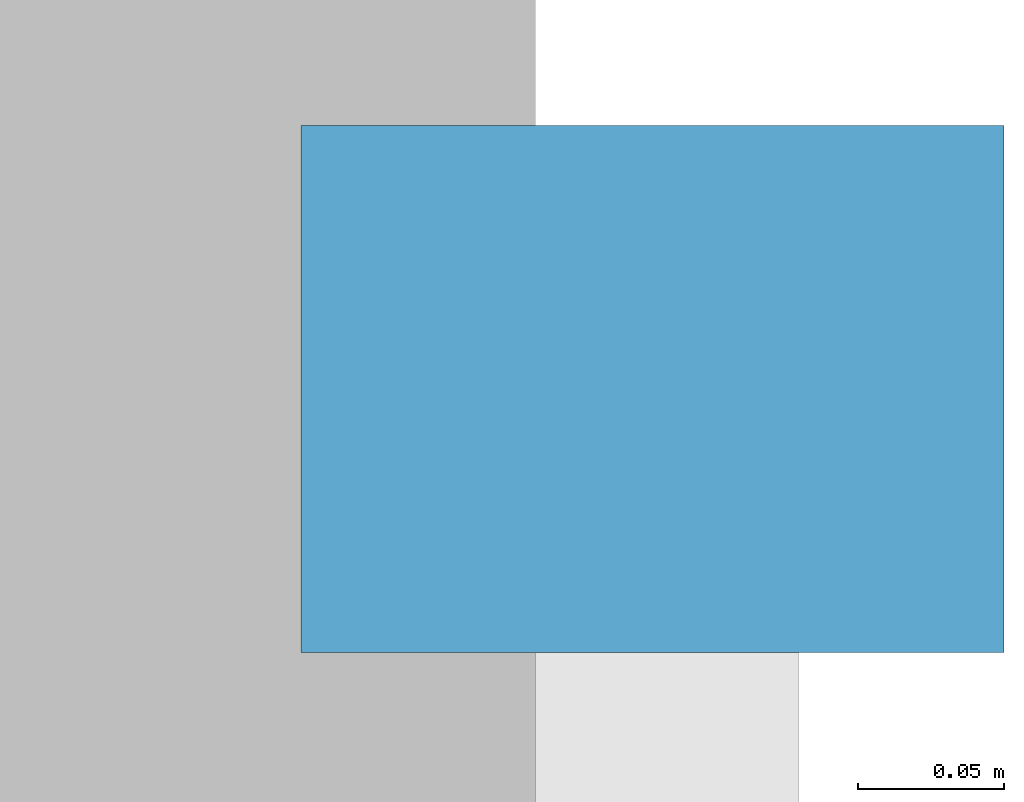
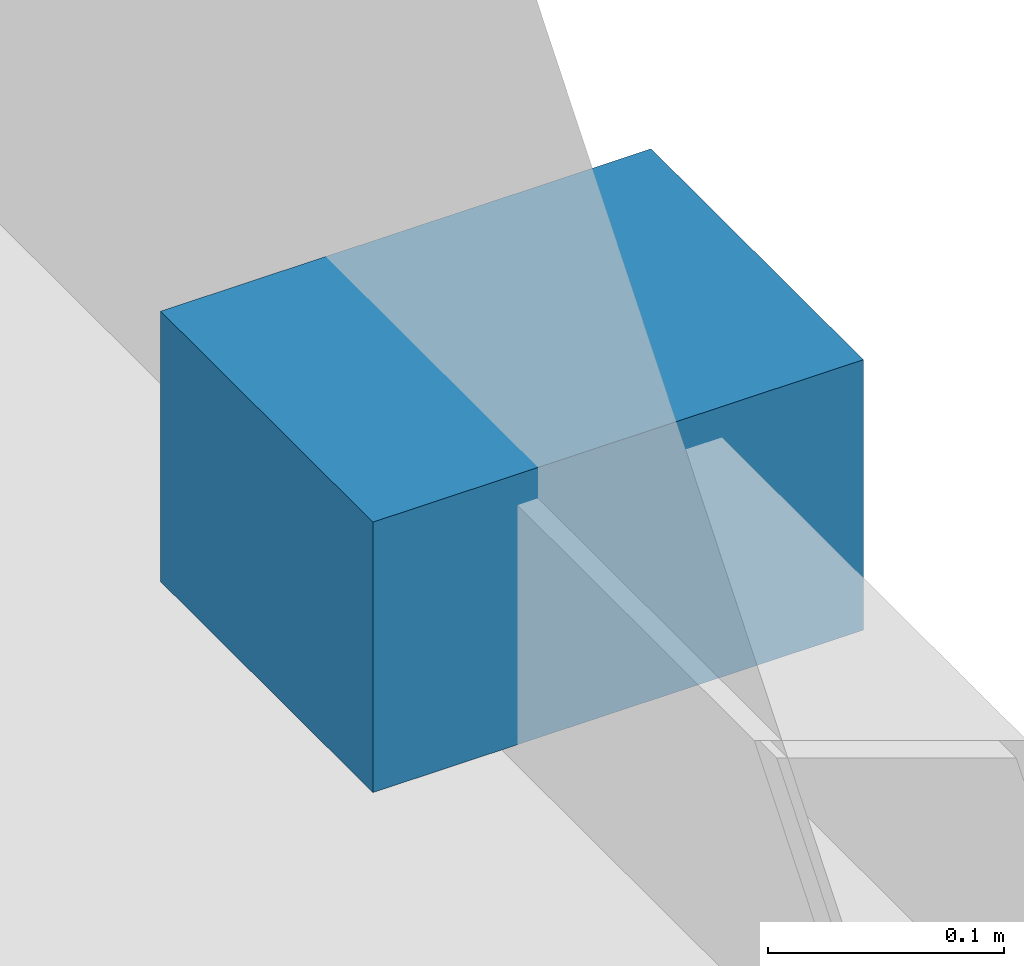
# One storey, part 91 of 109: 1 discrete accessory.
"""IFC4 building model written with IfcOpenShell, lengths in metres."""

import ifcopenshell
import ifcopenshell.guid

model = None  # the IFC model being written
_history = None  # IfcOwnerHistory: only IFC2X3 demands one
_inside = {}  # id of a spatial element -> (the spatial element, [elements in it])
_under = {}  # id of a project, library or spatial element -> (it, [spatial elements below it])
_declared = {}  # id of a project -> (the project, [libraries it declares])
_typed = {}  # id of a type object -> (the type object, [elements of that type])
_made_of = {}  # id of a material, layer set ... -> (it, [elements and type objects made of it])


def new_model(schema):
    """Start an empty IFC model of exactly this schema.

    Asked for "IFC4X3", IfcOpenShell would pick the latest addendum, in which some entities
    have other attributes; the version numbers below select the first issue.
    IFC2X3 requires an IfcOwnerHistory on every rooted entity: one is made here for all.
    """
    global model, _history
    if schema == "IFC4X3":
        model = ifcopenshell.file(schema_version=(4, 3, 0, 0))
    else:
        model = ifcopenshell.file(schema=schema)
    _inside.clear()
    _under.clear()
    _declared.clear()
    _typed.clear()
    _made_of.clear()
    _history = None
    if model.schema == "IFC2X3":
        org = make("IfcOrganization", Name="unknown")
        user = make(
            "IfcPersonAndOrganization",
            ThePerson=make("IfcPerson", FamilyName="unknown"),
            TheOrganization=org,
        )
        app = make(
            "IfcApplication",
            ApplicationDeveloper=org,
            Version="unknown",
            ApplicationFullName="unknown",
            ApplicationIdentifier="unknown",
        )
        _history = make(
            "IfcOwnerHistory",
            OwningUser=user,
            OwningApplication=app,
            ChangeAction="ADDED",
            CreationDate=0,
        )
    return model


def make(cls, **values):
    """One entity of the class cls with the attributes given. An attribute that is None is left unset."""
    return model.create_entity(
        cls, **{name: value for name, value in values.items() if value is not None}
    )


def rooted(cls, **values):
    """An entity with a GlobalId (a new one), such as an element, a storey or a relation."""
    return make(cls, GlobalId=ifcopenshell.guid.new(), OwnerHistory=_history, **values)


def si_unit(unit_type, name, prefix=None):
    """IfcSIUnit, for example si_unit("LENGTHUNIT", "METRE", prefix="MILLI")."""
    return make("IfcSIUnit", UnitType=unit_type, Prefix=prefix, Name=name)


def assignment(units):
    """IfcUnitAssignment: the units of a project."""
    return None if units is None else make("IfcUnitAssignment", Units=units)


def point(xyz):
    """IfcCartesianPoint."""
    return None if xyz is None else make("IfcCartesianPoint", Coordinates=xyz)


def direction(xyz):
    """IfcDirection."""
    return None if xyz is None else make("IfcDirection", DirectionRatios=xyz)


def frame(location, z_axis=None, x_axis=None):
    """IfcAxis2Placement3D, a coordinate frame: its origin and axes. An axis left out is left unset."""
    return make(
        "IfcAxis2Placement3D",
        Location=point(location),
        Axis=direction(z_axis),
        RefDirection=direction(x_axis),
    )


def frame_2d(location, x_axis=None):
    """IfcAxis2Placement2D, a coordinate frame in the plane: its origin and x axis."""
    return make(
        "IfcAxis2Placement2D", Location=point(location), RefDirection=direction(x_axis)
    )


def origin():
    """The frame at (0, 0, 0) with its axes left unset."""
    return frame((0.0, 0.0, 0.0))


def origin_2d():
    """The frame at (0, 0) in the plane with its x axis left unset."""
    return frame_2d((0.0, 0.0))


def place(relative_to, where):
    """IfcLocalPlacement: puts the frame where relative to a parent placement (None: the world)."""
    return make(
        "IfcLocalPlacement", PlacementRelTo=relative_to, RelativePlacement=where
    )


def context(
    kind, dimensions, precision=None, world=None, true_north=None, identifier=None
):
    """IfcGeometricRepresentationContext, for example the 3D "Model" context."""
    return make(
        "IfcGeometricRepresentationContext",
        ContextIdentifier=identifier,
        ContextType=kind,
        CoordinateSpaceDimension=dimensions,
        Precision=precision,
        WorldCoordinateSystem=world,
        TrueNorth=true_north,
    )


def subcontext(parent, identifier, kind, view, scale=None):
    """IfcGeometricRepresentationSubContext, for example "Body" below "Model"."""
    return make(
        "IfcGeometricRepresentationSubContext",
        ContextIdentifier=identifier,
        ContextType=kind,
        ParentContext=parent,
        TargetScale=scale,
        TargetView=view,
    )


def project(units=None, contexts=None):
    """IfcProject with its units and contexts."""
    return rooted(
        "IfcProject",
        Name="project",
        RepresentationContexts=contexts,
        UnitsInContext=assignment(units),
    )


def spatial(cls, under=None, at=None, **own):
    """A site, building, storey or space (cls), placed at a placement, below another one or the project."""
    s = rooted(cls, ObjectPlacement=at, **own)
    if under is not None:
        _under.setdefault(under.id(), (under, []))[1].append(s)
    return s


def profile(cls, at=None, kind="AREA", **sizes):
    """A parametric profile (cls). Its sizes go by their IFC names, for example OverallWidth=200.0."""
    return make(cls, ProfileType=kind, Position=at, **sizes)


def rectangle(**sizes):
    """IfcRectangleProfileDef."""
    return profile("IfcRectangleProfileDef", **sizes)


def extrude(swept, where, along, depth):
    """IfcExtrudedAreaSolid: the profile swept, set in the frame where, extruded along a direction by depth."""
    return make(
        "IfcExtrudedAreaSolid",
        SweptArea=swept,
        Position=where,
        ExtrudedDirection=direction(along),
        Depth=depth,
    )


def shape(context_of_items, identifier, shape_type, items):
    """IfcShapeRepresentation: the items that make up one representation, for example the "Body"."""
    return make(
        "IfcShapeRepresentation",
        ContextOfItems=context_of_items,
        RepresentationIdentifier=identifier,
        RepresentationType=shape_type,
        Items=items,
    )


def material(Name=None, Category=None):
    """IfcMaterial."""
    return make("IfcMaterial", Name=Name, Category=Category)


def layer(
    of_material, thickness, ventilated=None, Name=None, Category=None, Priority=None
):
    """IfcMaterialLayer: one layer of a wall or slab, of a material (None: an air gap)."""
    return make(
        "IfcMaterialLayer",
        Material=of_material,
        LayerThickness=thickness,
        IsVentilated=ventilated,
        Name=Name,
        Category=Category,
        Priority=Priority,
    )


def layer_set(layers, Name=None):
    """IfcMaterialLayerSet."""
    return make("IfcMaterialLayerSet", MaterialLayers=layers, LayerSetName=Name)


def made_of(thing, what):
    """Note that an element or type object is made of a material, layer set ...; save() writes the relation."""
    if what is not None:
        _made_of.setdefault(what.id(), (what, []))[1].append(thing)
    return thing


def type_object(cls, material=None, **own):
    """A type object (cls), such as IfcWallType, which elements share."""
    return made_of(rooted(cls, **own), material)


def element(
    cls,
    number,
    at=None,
    inside=None,
    cuts=None,
    type_object=None,
    material=None,
    context=None,
    identifier="Body",
    shape_type=None,
    held_by="IfcProductDefinitionShape",
    body=None,
    shapes=None,
    **own,
):
    """One element of the class cls, such as IfcWall. Its Tag is "e" and its number.

    at: its placement. inside: the storey or other place that contains it. cuts: it is an
    opening in that element (IfcRelVoidsElement). A single representation is given by context,
    identifier, shape_type and body (its items); several are given by shapes. held_by: the class
    of the entity that holds the representations. save() writes the other relations.
    """
    e = rooted(cls, Tag="e%d" % number, ObjectPlacement=at, **own)
    if body is not None:
        shapes = [shape(context, identifier, shape_type, body)]
    if shapes is not None:
        e.Representation = make(held_by, Representations=shapes)
    if inside is not None:
        _inside.setdefault(inside.id(), (inside, []))[1].append(e)
    if cuts is not None:
        rooted(
            "IfcRelVoidsElement", RelatingBuildingElement=cuts, RelatedOpeningElement=e
        )
    if type_object is not None:
        _typed.setdefault(type_object.id(), (type_object, []))[1].append(e)
    return made_of(e, material)


def aggregate(whole, parts):
    """IfcRelAggregates: a whole, such as a stair, and the parts it consists of."""
    return rooted("IfcRelAggregates", RelatingObject=whole, RelatedObjects=parts)


def save(model, path):
    """Write the relations noted so far, then the file.

    IfcRelAggregates (storeys below a building ...), IfcRelContainedInSpatialStructure (elements
    in a storey), IfcRelDefinesByType, IfcRelAssociatesMaterial and IfcRelDeclares: one each for
    every whole, place, type object, material and project.
    """
    for whole, parts in _under.values():
        aggregate(whole, parts)
    for where, things in _inside.values():
        rooted(
            "IfcRelContainedInSpatialStructure",
            RelatedElements=things,
            RelatingStructure=where,
        )
    for kind, things in _typed.values():
        rooted("IfcRelDefinesByType", RelatedObjects=things, RelatingType=kind)
    for what, things in _made_of.values():
        rooted("IfcRelAssociatesMaterial", RelatedObjects=things, RelatingMaterial=what)
    for by, libraries in _declared.values():
        rooted("IfcRelDeclares", RelatingContext=by, RelatedDefinitions=libraries)
    model.write(path)


model = new_model("IFC4")

# Units and contexts
model_context = context("Model", 3, precision=1e-05, world=origin(), true_north=direction((0.0, 1.0)))
body_context = subcontext(model_context, "Body", "Model", "MODEL_VIEW")
ifc_project = project(units=[si_unit("LENGTHUNIT", "METRE"), si_unit("AREAUNIT", "SQUARE_METRE"), si_unit("VOLUMEUNIT", "CUBIC_METRE"), si_unit("PLANEANGLEUNIT", "RADIAN"), si_unit("MASSUNIT", "GRAM", prefix="KILO")], contexts=[model_context])

# Site, building, storey
site_placement = place(None, origin())
site = spatial("IfcSite", under=ifc_project, at=site_placement, CompositionType="ELEMENT")
building_placement = place(site_placement, origin())
building = spatial("IfcBuilding", under=site, at=building_placement, Name="Haebicheon Civic Stadium", CompositionType="ELEMENT")
storey_placement = place(building_placement, frame((0.0, 0.0, 9.60009765625)))
storey = spatial("IfcBuildingStorey", under=building, at=storey_placement, Name="L03", CompositionType="ELEMENT", Elevation=9.60009765625)

# Discrete accessory
ifc_material = material(Name="Stainless steel 316", Category="steel")
ifc_layer = layer(ifc_material, 0.139892578125, Name="Stainless steel 316")
ifc_layer_set = layer_set([ifc_layer], Name="Stainless steel 316")
discrete_accessory_type = type_object("IfcDiscreteAccessoryType", Name="BRK-LVR-CLEAT", PredefinedType="BRACKET", material=ifc_layer_set)
discrete_accessory_placement = place(storey_placement, frame((236.514892578125, 128.0, 0.009765625), z_axis=(0.0, 0.0, 1.0), x_axis=(1.0, 0.0, 0.0)))
element("IfcDiscreteAccessory", 1, at=discrete_accessory_placement, inside=storey, type_object=discrete_accessory_type, material=ifc_layer_set, Name="SCR-COMM L03 stainless bracket cleat 10B", PredefinedType="BRACKET", context=body_context, shape_type="SweptSolid", body=[
    extrude(rectangle(XDim=0.239990234375, YDim=0.179931640625, at=origin_2d()), origin(), (0.0, 0.0, 1.0), 0.139892578125),
])

save(model, "model.ifc")
